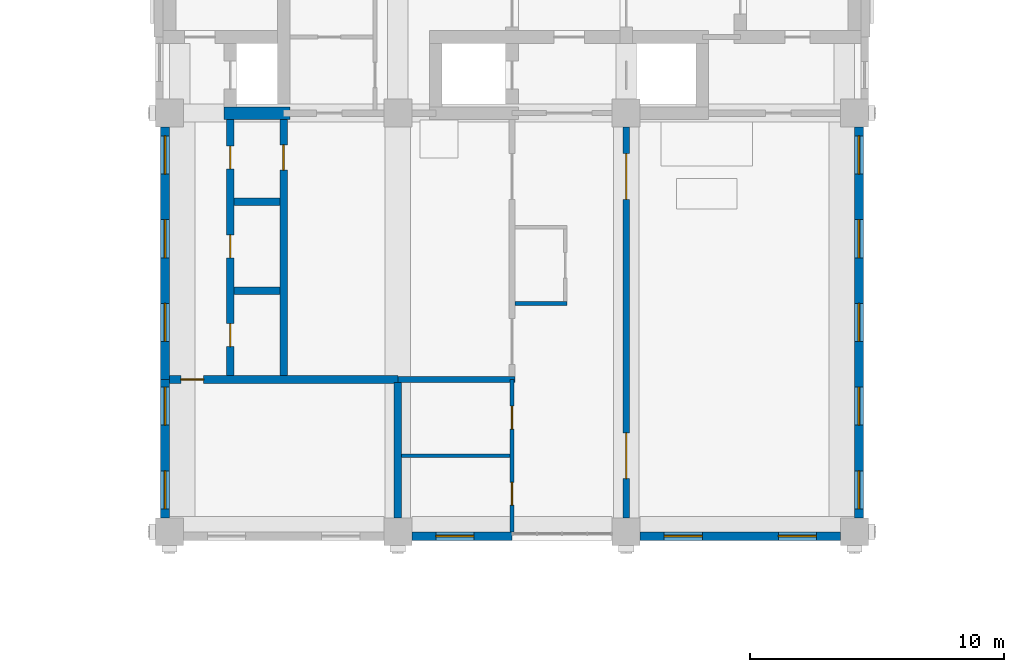
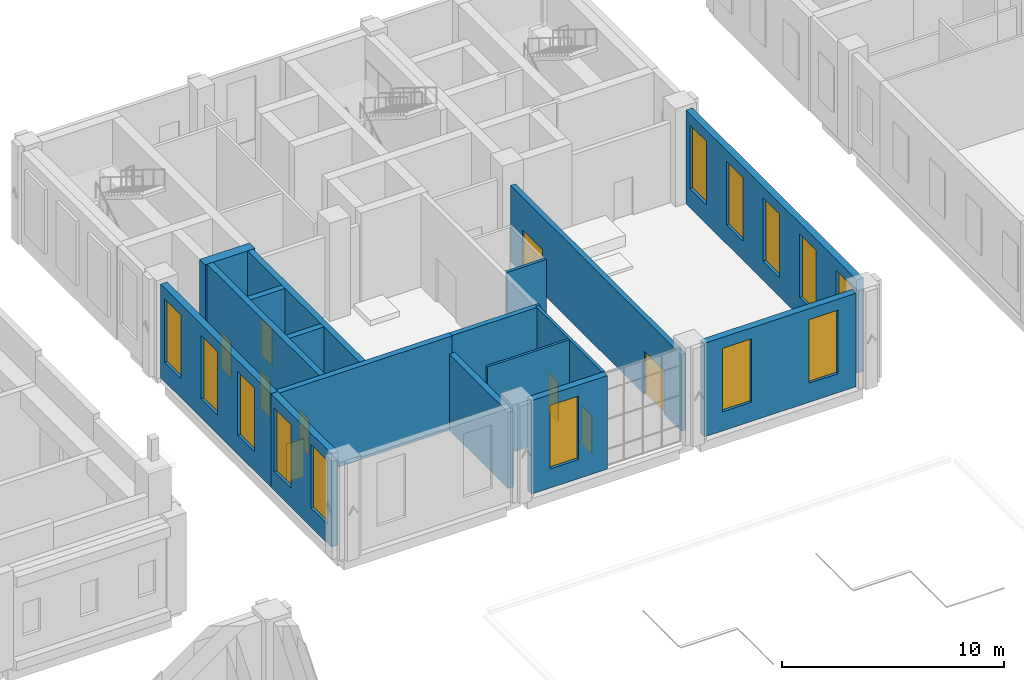
# One storey, part 21 of 37: 17 walls, 13 windows, 9 doors, 22 openings.
"""IFC4 building model written with IfcOpenShell, lengths in metres."""

from ifc_helpers import new_model, si_unit, direction, frame, frame_2d, origin, place, context, subcontext, project, spatial, rectangle, extrude, material, layer, layer_set, type_object, element, fill, save


model = new_model("IFC4")

# Units and contexts
model_context = context("Model", 3, precision=1e-05, world=origin(), true_north=direction((0.0, 1.0)))
body_context = subcontext(model_context, "Body", "Model", "MODEL_VIEW")
ifc_project = project(units=[si_unit("LENGTHUNIT", "METRE"), si_unit("AREAUNIT", "SQUARE_METRE"), si_unit("VOLUMEUNIT", "CUBIC_METRE"), si_unit("PLANEANGLEUNIT", "RADIAN"), si_unit("MASSUNIT", "GRAM", prefix="KILO")], contexts=[model_context])

# Site, building, storey
site_placement = place(None, origin())
site = spatial("IfcSite", under=ifc_project, at=site_placement, CompositionType="ELEMENT")
building_placement = place(site_placement, origin())
building = spatial("IfcBuilding", under=site, at=building_placement, Name="Aurelan Courthouse", CompositionType="ELEMENT")
storey_placement = place(building_placement, frame((0.0, 0.0, 17.39990234375)))
storey = spatial("IfcBuildingStorey", under=building, at=storey_placement, Name="L03", CompositionType="ELEMENT", Elevation=17.39990234375)

# Wall
ifc_material_1 = material(Name="Gypsum board on metal studs")
ifc_layer_1 = layer(ifc_material_1, 0.14990234375)
ifc_layer_set_1 = layer_set([ifc_layer_1], Name="Gypsum board on metal studs")
wall_type_1 = type_object("IfcWallType", Name="Corridor partition 150 EI 60", PredefinedType="PARTITIONING", material=ifc_layer_set_1)
wall_1_placement = place(storey_placement, frame((49.625, 46.5, 0.0), z_axis=(0.0, 0.0, 1.0), x_axis=(1.0, 0.0, 0.0)))
element("IfcWall", 1, at=wall_1_placement, inside=storey, type_object=wall_type_1, Name="Corridor partition L03-022", PredefinedType="PARTITIONING", context=body_context, shape_type="SweptSolid", body=[
    extrude(rectangle(XDim=2.050048828125, YDim=0.14990234375, at=frame_2d((1.02490234375, 0.0))), origin(), (0.0, 0.0, 1.0), 5.150146484375),
])

# Wall, openings, doors
wall_2_placement = place(storey_placement, frame((49.5, 37.5, 0.0), z_axis=(0.0, 0.0, 1.0), x_axis=(0.0, 1.0, 0.0)))
wall_2 = element("IfcWall", 2, at=wall_2_placement, inside=storey, type_object=wall_type_1, Name="Corridor partition L03-070", PredefinedType="PARTITIONING", context=body_context, shape_type="SweptSolid", body=[
    extrude(rectangle(XDim=6.0, YDim=0.14990234375, at=frame_2d((3.0, 0.0))), origin(), (0.0, 0.0, 1.0), 5.150146484375),
])
opening_1_placement = place(wall_2_placement, frame((1.050048828125, 0.0, 0.0)))
opening_1 = element("IfcOpeningElement", 3, at=opening_1_placement, cuts=wall_2, Name="Opening D-L03-021", PredefinedType="OPENING", context=body_context, shape_type="SweptSolid", body=[
    extrude(rectangle(XDim=0.89990234375, YDim=2.10009765625, at=frame_2d((0.449951171875, 1.050048828125))), frame((0.0, 0.0849609375, 0.0), z_axis=(0.0, -1.0, 0.0), x_axis=(1.0, 0.0, 0.0)), (0.0, 0.0, 1.0), 0.169921875),
])
opening_2_placement = place(wall_2_placement, frame((4.050048828125, 0.0, 0.0)))
opening_2 = element("IfcOpeningElement", 4, at=opening_2_placement, cuts=wall_2, Name="Opening D-L03-022", PredefinedType="OPENING", context=body_context, shape_type="SweptSolid", body=[
    extrude(rectangle(XDim=0.89990234375, YDim=2.10009765625, at=frame_2d((0.449951171875, 1.050048828125))), frame((0.0, 0.0849609375, 0.0), z_axis=(0.0, -1.0, 0.0), x_axis=(1.0, 0.0, 0.0)), (0.0, 0.0, 1.0), 0.169921875),
])
ifc_material_2 = material(Name="Steel", Category="steel")
door_type_1 = type_object("IfcDoorType", Name="Single door 900 x 2100 FD60", OperationType="SINGLE_SWING_LEFT", PredefinedType="DOOR", material=ifc_material_2)
door_1_placement = place(opening_1_placement, origin())
door_1 = element("IfcDoor", 5, at=door_1_placement, inside=storey, type_object=door_type_1, Name="Single door D-L03-021", OperationType="SINGLE_SWING_RIGHT", OverallHeight=2.10009765625, OverallWidth=0.89990234375, PredefinedType="DOOR", context=body_context, shape_type="SweptSolid", body=[
    extrude(rectangle(XDim=0.89990234375, YDim=2.10009765625, at=frame_2d((0.449951171875, 1.050048828125))), frame((0.0, 0.02490234375, 0.0), z_axis=(0.0, -1.0, 0.0), x_axis=(1.0, 0.0, 0.0)), (0.0, 0.0, 1.0), 0.050048828125),
])
fill(opening_1, door_1)
door_2_placement = place(opening_2_placement, origin())
door_2 = element("IfcDoor", 6, at=door_2_placement, inside=storey, type_object=door_type_1, Name="Single door D-L03-022", OperationType="SINGLE_SWING_LEFT", OverallHeight=2.10009765625, OverallWidth=0.89990234375, PredefinedType="DOOR", context=body_context, shape_type="SweptSolid", body=[
    extrude(rectangle(XDim=0.89990234375, YDim=2.10009765625, at=frame_2d((0.449951171875, 1.050048828125))), frame((0.0, 0.02490234375, 0.0), z_axis=(0.0, -1.0, 0.0), x_axis=(1.0, 0.0, 0.0)), (0.0, 0.0, 1.0), 0.050048828125),
])
fill(opening_2, door_2)

# Wall, opening, window
ifc_material_3 = material(Name="Limestone cladding", Category="masonry")
ifc_layer_2 = layer(ifc_material_3, 0.10009765625, Name="Facing")
ifc_material_4 = material(Name="Ventilated cavity")
ifc_layer_3 = layer(ifc_material_4, 0.02490234375, ventilated=True, Name="Ventilated cavity")
ifc_material_5 = material(Name="Mineral wool insulation")
ifc_layer_4 = layer(ifc_material_5, 0.050048828125, Name="Insulation")
ifc_material_6 = material(Name="Concrete C30", Category="concrete")
ifc_layer_5 = layer(ifc_material_6, 0.175048828125, Name="Structure")
ifc_layer_set_2 = layer_set([ifc_layer_2, ifc_layer_3, ifc_layer_4, ifc_layer_5], Name="Concrete C30")
wall_type_2 = type_object("IfcWallType", Name="Courtroom Block stone-faced wall 350", PredefinedType="SOLIDWALL", material=ifc_layer_set_2)
wall_3_placement = place(storey_placement, frame((45.550048828125, 37.324951171875, 0.0), z_axis=(0.0, 0.0, 1.0), x_axis=(1.0, 0.0, 0.0)))
wall_3 = element("IfcWall", 7, at=wall_3_placement, inside=storey, type_object=wall_type_2, Name="Facade wall FW-V2-L03-002", PredefinedType="SOLIDWALL", context=body_context, shape_type="SweptSolid", body=[
    extrude(rectangle(XDim=3.949951171875, YDim=0.35009765625, at=frame_2d((1.97509765625, 0.0))), origin(), (0.0, 0.0, 1.0), 5.150146484375),
])
opening_3_placement = place(wall_3_placement, frame((0.949951171875, 0.0, 1.050048828125)))
opening_3 = element("IfcOpeningElement", 8, at=opening_3_placement, cuts=wall_3, Name="Opening WN-V2-L03-003", PredefinedType="OPENING", context=body_context, shape_type="SweptSolid", body=[
    extrude(rectangle(XDim=1.5, YDim=3.5, at=frame_2d((0.75, 1.75))), frame((0.0, 0.18505859375, 0.0), z_axis=(0.0, -1.0, 0.0), x_axis=(1.0, 0.0, 0.0)), (0.0, 0.0, 1.0), 0.3701171875),
])
ifc_material_7 = material(Name="Bronze-finished aluminium and glass", Category="aluminium")
window_type = type_object("IfcWindowType", Name="Courtroom Block glazed slot 1500 x 3500, sill 1050", PartitioningType="SINGLE_PANEL", PredefinedType="WINDOW", material=ifc_material_7)
window_1_placement = place(opening_3_placement, origin())
window_1 = element("IfcWindow", 9, at=window_1_placement, inside=storey, type_object=window_type, Name="Glazed slot WN-V2-L03-003", OverallHeight=3.5, OverallWidth=1.5, PartitioningType="SINGLE_PANEL", PredefinedType="WINDOW", context=body_context, shape_type="SweptSolid", body=[
    extrude(rectangle(XDim=1.5, YDim=3.5, at=frame_2d((0.75, 1.75))), frame((0.0, 0.030029296875, 0.0), z_axis=(0.0, -1.0, 0.0), x_axis=(1.0, 0.0, 0.0)), (0.0, 0.0, 1.0), 0.06005859375),
])
fill(opening_3, window_1)

# Wall, openings, windows
wall_4_placement = place(storey_placement, frame((54.550048828125, 37.324951171875, 0.0), z_axis=(0.0, 0.0, 1.0), x_axis=(1.0, 0.0, 0.0)))
wall_4 = element("IfcWall", 10, at=wall_4_placement, inside=storey, type_object=wall_type_2, Name="Facade wall FW-V2-L03-003", PredefinedType="SOLIDWALL", context=body_context, shape_type="SweptSolid", body=[
    extrude(rectangle(XDim=7.89990234375, YDim=0.35009765625, at=frame_2d((3.949951171875, 0.0))), origin(), (0.0, 0.0, 1.0), 5.150146484375),
])
opening_4_placement = place(wall_4_placement, frame((0.949951171875, 0.0, 1.050048828125)))
opening_4 = element("IfcOpeningElement", 11, at=opening_4_placement, cuts=wall_4, Name="Opening WN-V2-L03-004", PredefinedType="OPENING", context=body_context, shape_type="SweptSolid", body=[
    extrude(rectangle(XDim=1.5, YDim=3.5, at=frame_2d((0.75, 1.75))), frame((0.0, 0.18505859375, 0.0), z_axis=(0.0, -1.0, 0.0), x_axis=(1.0, 0.0, 0.0)), (0.0, 0.0, 1.0), 0.3701171875),
])
opening_5_placement = place(wall_4_placement, frame((5.449951171875, 0.0, 1.050048828125)))
opening_5 = element("IfcOpeningElement", 12, at=opening_5_placement, cuts=wall_4, Name="Opening WN-V2-L03-005", PredefinedType="OPENING", context=body_context, shape_type="SweptSolid", body=[
    extrude(rectangle(XDim=1.5, YDim=3.5, at=frame_2d((0.75, 1.75))), frame((0.0, 0.18505859375, 0.0), z_axis=(0.0, -1.0, 0.0), x_axis=(1.0, 0.0, 0.0)), (0.0, 0.0, 1.0), 0.3701171875),
])
window_2_placement = place(opening_4_placement, origin())
window_2 = element("IfcWindow", 13, at=window_2_placement, inside=storey, type_object=window_type, Name="Glazed slot WN-V2-L03-004", OverallHeight=3.5, OverallWidth=1.5, PartitioningType="SINGLE_PANEL", PredefinedType="WINDOW", context=body_context, shape_type="SweptSolid", body=[
    extrude(rectangle(XDim=1.5, YDim=3.5, at=frame_2d((0.75, 1.75))), frame((0.0, 0.030029296875, 0.0), z_axis=(0.0, -1.0, 0.0), x_axis=(1.0, 0.0, 0.0)), (0.0, 0.0, 1.0), 0.06005859375),
])
fill(opening_4, window_2)
window_3_placement = place(opening_5_placement, origin())
window_3 = element("IfcWindow", 14, at=window_3_placement, inside=storey, type_object=window_type, Name="Glazed slot WN-V2-L03-005", OverallHeight=3.5, OverallWidth=1.5, PartitioningType="SINGLE_PANEL", PredefinedType="WINDOW", context=body_context, shape_type="SweptSolid", body=[
    extrude(rectangle(XDim=1.5, YDim=3.5, at=frame_2d((0.75, 1.75))), frame((0.0, 0.030029296875, 0.0), z_axis=(0.0, -1.0, 0.0), x_axis=(1.0, 0.0, 0.0)), (0.0, 0.0, 1.0), 0.06005859375),
])
fill(opening_5, window_3)

wall_5_placement = place(storey_placement, frame((63.175048828125, 38.050048828125, 0.0), z_axis=(0.0, 0.0, 1.0), x_axis=(0.0, 1.0, 0.0)))
wall_5 = element("IfcWall", 15, at=wall_5_placement, inside=storey, type_object=wall_type_2, Name="Facade wall FW-V2-L03-007", PredefinedType="SOLIDWALL", context=body_context, shape_type="SweptSolid", body=[
    extrude(rectangle(XDim=15.39990234375, YDim=0.35009765625, at=frame_2d((7.699951171875, 0.0))), origin(), (0.0, 0.0, 1.0), 5.150146484375),
])
opening_6_placement = place(wall_5_placement, frame((0.35009765625, 0.0, 1.050048828125)))
opening_6 = element("IfcOpeningElement", 16, at=opening_6_placement, cuts=wall_5, Name="Opening WN-V2-L03-008", PredefinedType="OPENING", context=body_context, shape_type="SweptSolid", body=[
    extrude(rectangle(XDim=1.5, YDim=3.5, at=frame_2d((0.75, 1.75))), frame((0.0, 0.18505859375, 0.0), z_axis=(0.0, -1.0, 0.0), x_axis=(1.0, 0.0, 0.0)), (0.0, 0.0, 1.0), 0.3701171875),
])
opening_7_placement = place(wall_5_placement, frame((3.64990234375, 0.0, 1.050048828125)))
opening_7 = element("IfcOpeningElement", 17, at=opening_7_placement, cuts=wall_5, Name="Opening WN-V2-L03-009", PredefinedType="OPENING", context=body_context, shape_type="SweptSolid", body=[
    extrude(rectangle(XDim=1.5, YDim=3.5, at=frame_2d((0.75, 1.75))), frame((0.0, 0.18505859375, 0.0), z_axis=(0.0, -1.0, 0.0), x_axis=(1.0, 0.0, 0.0)), (0.0, 0.0, 1.0), 0.3701171875),
])
opening_8_placement = place(wall_5_placement, frame((6.949951171875, 0.0, 1.050048828125)))
opening_8 = element("IfcOpeningElement", 18, at=opening_8_placement, cuts=wall_5, Name="Opening WN-V2-L03-010", PredefinedType="OPENING", context=body_context, shape_type="SweptSolid", body=[
    extrude(rectangle(XDim=1.5, YDim=3.5, at=frame_2d((0.75, 1.75))), frame((0.0, 0.18505859375, 0.0), z_axis=(0.0, -1.0, 0.0), x_axis=(1.0, 0.0, 0.0)), (0.0, 0.0, 1.0), 0.3701171875),
])
opening_9_placement = place(wall_5_placement, frame((10.25, 0.0, 1.050048828125)))
opening_9 = element("IfcOpeningElement", 19, at=opening_9_placement, cuts=wall_5, Name="Opening WN-V2-L03-011", PredefinedType="OPENING", context=body_context, shape_type="SweptSolid", body=[
    extrude(rectangle(XDim=1.5, YDim=3.5, at=frame_2d((0.75, 1.75))), frame((0.0, 0.18505859375, 0.0), z_axis=(0.0, -1.0, 0.0), x_axis=(1.0, 0.0, 0.0)), (0.0, 0.0, 1.0), 0.3701171875),
])
opening_10_placement = place(wall_5_placement, frame((13.550048828125, 0.0, 1.050048828125)))
opening_10 = element("IfcOpeningElement", 20, at=opening_10_placement, cuts=wall_5, Name="Opening WN-V2-L03-012", PredefinedType="OPENING", context=body_context, shape_type="SweptSolid", body=[
    extrude(rectangle(XDim=1.5, YDim=3.5, at=frame_2d((0.75, 1.75))), frame((0.0, 0.18505859375, 0.0), z_axis=(0.0, -1.0, 0.0), x_axis=(1.0, 0.0, 0.0)), (0.0, 0.0, 1.0), 0.3701171875),
])
window_4_placement = place(opening_6_placement, origin())
window_4 = element("IfcWindow", 21, at=window_4_placement, inside=storey, type_object=window_type, Name="Glazed slot WN-V2-L03-008", OverallHeight=3.5, OverallWidth=1.5, PartitioningType="SINGLE_PANEL", PredefinedType="WINDOW", context=body_context, shape_type="SweptSolid", body=[
    extrude(rectangle(XDim=1.5, YDim=3.5, at=frame_2d((0.75, 1.75))), frame((0.0, 0.030029296875, 0.0), z_axis=(0.0, -1.0, 0.0), x_axis=(1.0, 0.0, 0.0)), (0.0, 0.0, 1.0), 0.06005859375),
])
fill(opening_6, window_4)
window_5_placement = place(opening_7_placement, origin())
window_5 = element("IfcWindow", 22, at=window_5_placement, inside=storey, type_object=window_type, Name="Glazed slot WN-V2-L03-009", OverallHeight=3.5, OverallWidth=1.5, PartitioningType="SINGLE_PANEL", PredefinedType="WINDOW", context=body_context, shape_type="SweptSolid", body=[
    extrude(rectangle(XDim=1.5, YDim=3.5, at=frame_2d((0.75, 1.75))), frame((0.0, 0.030029296875, 0.0), z_axis=(0.0, -1.0, 0.0), x_axis=(1.0, 0.0, 0.0)), (0.0, 0.0, 1.0), 0.06005859375),
])
fill(opening_7, window_5)
window_6_placement = place(opening_8_placement, origin())
window_6 = element("IfcWindow", 23, at=window_6_placement, inside=storey, type_object=window_type, Name="Glazed slot WN-V2-L03-010", OverallHeight=3.5, OverallWidth=1.5, PartitioningType="SINGLE_PANEL", PredefinedType="WINDOW", context=body_context, shape_type="SweptSolid", body=[
    extrude(rectangle(XDim=1.5, YDim=3.5, at=frame_2d((0.75, 1.75))), frame((0.0, 0.030029296875, 0.0), z_axis=(0.0, -1.0, 0.0), x_axis=(1.0, 0.0, 0.0)), (0.0, 0.0, 1.0), 0.06005859375),
])
fill(opening_8, window_6)
window_7_placement = place(opening_9_placement, origin())
window_7 = element("IfcWindow", 24, at=window_7_placement, inside=storey, type_object=window_type, Name="Glazed slot WN-V2-L03-011", OverallHeight=3.5, OverallWidth=1.5, PartitioningType="SINGLE_PANEL", PredefinedType="WINDOW", context=body_context, shape_type="SweptSolid", body=[
    extrude(rectangle(XDim=1.5, YDim=3.5, at=frame_2d((0.75, 1.75))), frame((0.0, 0.030029296875, 0.0), z_axis=(0.0, -1.0, 0.0), x_axis=(1.0, 0.0, 0.0)), (0.0, 0.0, 1.0), 0.06005859375),
])
fill(opening_9, window_7)
window_8_placement = place(opening_10_placement, origin())
window_8 = element("IfcWindow", 25, at=window_8_placement, inside=storey, type_object=window_type, Name="Glazed slot WN-V2-L03-012", OverallHeight=3.5, OverallWidth=1.5, PartitioningType="SINGLE_PANEL", PredefinedType="WINDOW", context=body_context, shape_type="SweptSolid", body=[
    extrude(rectangle(XDim=1.5, YDim=3.5, at=frame_2d((0.75, 1.75))), frame((0.0, 0.030029296875, 0.0), z_axis=(0.0, -1.0, 0.0), x_axis=(1.0, 0.0, 0.0)), (0.0, 0.0, 1.0), 0.06005859375),
])
fill(opening_10, window_8)

wall_6_placement = place(storey_placement, frame((35.824951171875, 38.050048828125, 0.0), z_axis=(0.0, 0.0, 1.0), x_axis=(0.0, 1.0, 0.0)))
wall_6 = element("IfcWall", 26, at=wall_6_placement, inside=storey, type_object=wall_type_2, Name="Facade wall FW-V2-L03-010", PredefinedType="SOLIDWALL", context=body_context, shape_type="SweptSolid", body=[
    extrude(rectangle(XDim=5.449951171875, YDim=0.35009765625, at=frame_2d((2.72509765625, 0.0))), origin(), (0.0, 0.0, 1.0), 5.150146484375),
])
opening_11_placement = place(wall_6_placement, frame((0.35009765625, 0.0, 1.050048828125)))
opening_11 = element("IfcOpeningElement", 27, at=opening_11_placement, cuts=wall_6, Name="Opening WN-V2-L03-014", PredefinedType="OPENING", context=body_context, shape_type="SweptSolid", body=[
    extrude(rectangle(XDim=1.5, YDim=3.5, at=frame_2d((0.75, 1.75))), frame((0.0, 0.18505859375, 0.0), z_axis=(0.0, -1.0, 0.0), x_axis=(1.0, 0.0, 0.0)), (0.0, 0.0, 1.0), 0.3701171875),
])
opening_12_placement = place(wall_6_placement, frame((3.64990234375, 0.0, 1.050048828125)))
opening_12 = element("IfcOpeningElement", 28, at=opening_12_placement, cuts=wall_6, Name="Opening WN-V2-L03-015", PredefinedType="OPENING", context=body_context, shape_type="SweptSolid", body=[
    extrude(rectangle(XDim=1.5, YDim=3.5, at=frame_2d((0.75, 1.75))), frame((0.0, 0.18505859375, 0.0), z_axis=(0.0, -1.0, 0.0), x_axis=(1.0, 0.0, 0.0)), (0.0, 0.0, 1.0), 0.3701171875),
])
window_9_placement = place(opening_11_placement, origin())
window_9 = element("IfcWindow", 29, at=window_9_placement, inside=storey, type_object=window_type, Name="Glazed slot WN-V2-L03-014", OverallHeight=3.5, OverallWidth=1.5, PartitioningType="SINGLE_PANEL", PredefinedType="WINDOW", context=body_context, shape_type="SweptSolid", body=[
    extrude(rectangle(XDim=1.5, YDim=3.5, at=frame_2d((0.75, 1.75))), frame((0.0, 0.030029296875, 0.0), z_axis=(0.0, -1.0, 0.0), x_axis=(1.0, 0.0, 0.0)), (0.0, 0.0, 1.0), 0.06005859375),
])
fill(opening_11, window_9)
window_10_placement = place(opening_12_placement, origin())
window_10 = element("IfcWindow", 30, at=window_10_placement, inside=storey, type_object=window_type, Name="Glazed slot WN-V2-L03-015", OverallHeight=3.5, OverallWidth=1.5, PartitioningType="SINGLE_PANEL", PredefinedType="WINDOW", context=body_context, shape_type="SweptSolid", body=[
    extrude(rectangle(XDim=1.5, YDim=3.5, at=frame_2d((0.75, 1.75))), frame((0.0, 0.030029296875, 0.0), z_axis=(0.0, -1.0, 0.0), x_axis=(1.0, 0.0, 0.0)), (0.0, 0.0, 1.0), 0.06005859375),
])
fill(opening_12, window_10)

wall_7_placement = place(storey_placement, frame((35.824951171875, 43.5, 0.0), z_axis=(0.0, 0.0, 1.0), x_axis=(0.0, 1.0, 0.0)))
wall_7 = element("IfcWall", 31, at=wall_7_placement, inside=storey, type_object=wall_type_2, Name="Facade wall FW-V2-L03-011", PredefinedType="SOLIDWALL", context=body_context, shape_type="SweptSolid", body=[
    extrude(rectangle(XDim=9.949951171875, YDim=0.35009765625, at=frame_2d((4.97509765625, 0.0))), origin(), (0.0, 0.0, 1.0), 5.150146484375),
])
opening_13_placement = place(wall_7_placement, frame((1.5, 0.0, 1.050048828125)))
opening_13 = element("IfcOpeningElement", 32, at=opening_13_placement, cuts=wall_7, Name="Opening WN-V2-L03-016", PredefinedType="OPENING", context=body_context, shape_type="SweptSolid", body=[
    extrude(rectangle(XDim=1.5, YDim=3.5, at=frame_2d((0.75, 1.75))), frame((0.0, 0.18505859375, 0.0), z_axis=(0.0, -1.0, 0.0), x_axis=(1.0, 0.0, 0.0)), (0.0, 0.0, 1.0), 0.3701171875),
])
opening_14_placement = place(wall_7_placement, frame((4.800048828125, 0.0, 1.050048828125)))
opening_14 = element("IfcOpeningElement", 33, at=opening_14_placement, cuts=wall_7, Name="Opening WN-V2-L03-017", PredefinedType="OPENING", context=body_context, shape_type="SweptSolid", body=[
    extrude(rectangle(XDim=1.5, YDim=3.5, at=frame_2d((0.75, 1.75))), frame((0.0, 0.18505859375, 0.0), z_axis=(0.0, -1.0, 0.0), x_axis=(1.0, 0.0, 0.0)), (0.0, 0.0, 1.0), 0.3701171875),
])
opening_15_placement = place(wall_7_placement, frame((8.10009765625, 0.0, 1.050048828125)))
opening_15 = element("IfcOpeningElement", 34, at=opening_15_placement, cuts=wall_7, Name="Opening WN-V2-L03-018", PredefinedType="OPENING", context=body_context, shape_type="SweptSolid", body=[
    extrude(rectangle(XDim=1.5, YDim=3.5, at=frame_2d((0.75, 1.75))), frame((0.0, 0.18505859375, 0.0), z_axis=(0.0, -1.0, 0.0), x_axis=(1.0, 0.0, 0.0)), (0.0, 0.0, 1.0), 0.3701171875),
])
window_11_placement = place(opening_13_placement, origin())
window_11 = element("IfcWindow", 35, at=window_11_placement, inside=storey, type_object=window_type, Name="Glazed slot WN-V2-L03-016", OverallHeight=3.5, OverallWidth=1.5, PartitioningType="SINGLE_PANEL", PredefinedType="WINDOW", context=body_context, shape_type="SweptSolid", body=[
    extrude(rectangle(XDim=1.5, YDim=3.5, at=frame_2d((0.75, 1.75))), frame((0.0, 0.030029296875, 0.0), z_axis=(0.0, -1.0, 0.0), x_axis=(1.0, 0.0, 0.0)), (0.0, 0.0, 1.0), 0.06005859375),
])
fill(opening_13, window_11)
window_12_placement = place(opening_14_placement, origin())
window_12 = element("IfcWindow", 36, at=window_12_placement, inside=storey, type_object=window_type, Name="Glazed slot WN-V2-L03-017", OverallHeight=3.5, OverallWidth=1.5, PartitioningType="SINGLE_PANEL", PredefinedType="WINDOW", context=body_context, shape_type="SweptSolid", body=[
    extrude(rectangle(XDim=1.5, YDim=3.5, at=frame_2d((0.75, 1.75))), frame((0.0, 0.030029296875, 0.0), z_axis=(0.0, -1.0, 0.0), x_axis=(1.0, 0.0, 0.0)), (0.0, 0.0, 1.0), 0.06005859375),
])
fill(opening_14, window_12)
window_13_placement = place(opening_15_placement, origin())
window_13 = element("IfcWindow", 37, at=window_13_placement, inside=storey, type_object=window_type, Name="Glazed slot WN-V2-L03-018", OverallHeight=3.5, OverallWidth=1.5, PartitioningType="SINGLE_PANEL", PredefinedType="WINDOW", context=body_context, shape_type="SweptSolid", body=[
    extrude(rectangle(XDim=1.5, YDim=3.5, at=frame_2d((0.75, 1.75))), frame((0.0, 0.030029296875, 0.0), z_axis=(0.0, -1.0, 0.0), x_axis=(1.0, 0.0, 0.0)), (0.0, 0.0, 1.0), 0.06005859375),
])
fill(opening_15, window_13)

# Wall
ifc_material_8 = material(Name="Masonry block", Category="masonry")
ifc_layer_6 = layer(ifc_material_8, 0.25)
ifc_layer_set_3 = layer_set([ifc_layer_6], Name="Masonry block")
wall_type_3 = type_object("IfcWallType", Name="Courtroom wall 250 EI 60", PredefinedType="PARTITIONING", material=ifc_layer_set_3)
wall_8_placement = place(storey_placement, frame((45.0, 43.5, 0.0), z_axis=(0.0, 0.0, 1.0), x_axis=(1.0, 0.0, 0.0)))
element("IfcWall", 38, at=wall_8_placement, inside=storey, type_object=wall_type_3, Name="Courtroom wall L03-018", PredefinedType="PARTITIONING", context=body_context, shape_type="SweptSolid", body=[
    extrude(rectangle(XDim=4.625, YDim=0.25, at=frame_2d((2.3125, 0.0))), origin(), (0.0, 0.0, 1.0), 5.150146484375),
])

# Wall, openings, doors
wall_9_placement = place(storey_placement, frame((54.0, 38.050048828125, 0.0), z_axis=(0.0, 0.0, 1.0), x_axis=(0.0, 1.0, 0.0)))
wall_9 = element("IfcWall", 39, at=wall_9_placement, inside=storey, type_object=wall_type_3, Name="Courtroom wall L03-073", PredefinedType="PARTITIONING", context=body_context, shape_type="SweptSolid", body=[
    extrude(rectangle(XDim=15.39990234375, YDim=0.25, at=frame_2d((7.699951171875, 0.0))), origin(), (0.0, 0.0, 1.0), 4.2001953125),
])
opening_16_placement = place(wall_9_placement, frame((1.550048828125, 0.0, 0.0)))
opening_16 = element("IfcOpeningElement", 40, at=opening_16_placement, cuts=wall_9, Name="Opening D-L03-023", PredefinedType="OPENING", context=body_context, shape_type="SweptSolid", body=[
    extrude(rectangle(XDim=1.800048828125, YDim=2.39990234375, at=frame_2d((0.89990234375, 1.199951171875))), frame((0.0, 0.135009765625, 0.0), z_axis=(0.0, -1.0, 0.0), x_axis=(1.0, 0.0, 0.0)), (0.0, 0.0, 1.0), 0.27001953125),
])
opening_17_placement = place(wall_9_placement, frame((12.550048828125, 0.0, 0.0)))
opening_17 = element("IfcOpeningElement", 41, at=opening_17_placement, cuts=wall_9, Name="Opening D-L03-024", PredefinedType="OPENING", context=body_context, shape_type="SweptSolid", body=[
    extrude(rectangle(XDim=1.800048828125, YDim=2.39990234375, at=frame_2d((0.89990234375, 1.199951171875))), frame((0.0, 0.135009765625, 0.0), z_axis=(0.0, -1.0, 0.0), x_axis=(1.0, 0.0, 0.0)), (0.0, 0.0, 1.0), 0.27001953125),
])
door_type_2 = type_object("IfcDoorType", Name="Double door 1800 x 2400 FD30", OperationType="DOUBLE_DOOR_SINGLE_SWING", PredefinedType="DOOR", material=ifc_material_2)
door_3_placement = place(opening_16_placement, origin())
door_3 = element("IfcDoor", 42, at=door_3_placement, inside=storey, type_object=door_type_2, Name="Double door D-L03-023", OperationType="DOUBLE_DOOR_SINGLE_SWING", OverallHeight=2.39990234375, OverallWidth=1.800048828125, PredefinedType="DOOR", context=body_context, shape_type="SweptSolid", body=[
    extrude(rectangle(XDim=1.800048828125, YDim=2.39990234375, at=frame_2d((0.89990234375, 1.199951171875))), frame((0.0, 0.02490234375, 0.0), z_axis=(0.0, -1.0, 0.0), x_axis=(1.0, 0.0, 0.0)), (0.0, 0.0, 1.0), 0.050048828125),
])
fill(opening_16, door_3)
door_4_placement = place(opening_17_placement, origin())
door_4 = element("IfcDoor", 43, at=door_4_placement, inside=storey, type_object=door_type_2, Name="Double door D-L03-024", OperationType="DOUBLE_DOOR_SINGLE_SWING", OverallHeight=2.39990234375, OverallWidth=1.800048828125, PredefinedType="DOOR", context=body_context, shape_type="SweptSolid", body=[
    extrude(rectangle(XDim=1.800048828125, YDim=2.39990234375, at=frame_2d((0.89990234375, 1.199951171875))), frame((0.0, 0.02490234375, 0.0), z_axis=(0.0, -1.0, 0.0), x_axis=(1.0, 0.0, 0.0)), (0.0, 0.0, 1.0), 0.050048828125),
])
fill(opening_17, door_4)

# Wall, opening, door
ifc_layer_7 = layer(ifc_material_6, 0.300048828125)
ifc_layer_set_4 = layer_set([ifc_layer_7], Name="Concrete C30")
wall_type_4 = type_object("IfcWallType", Name="Custody wall 300 EI 120", PredefinedType="PARTITIONING", material=ifc_layer_set_4)
wall_10_placement = place(storey_placement, frame((36.0, 43.5, 0.0), z_axis=(0.0, 0.0, 1.0), x_axis=(1.0, 0.0, 0.0)))
wall_10 = element("IfcWall", 44, at=wall_10_placement, inside=storey, type_object=wall_type_4, Name="Custody wall L03-017", PredefinedType="PARTITIONING", context=body_context, shape_type="SweptSolid", body=[
    extrude(rectangle(XDim=9.0, YDim=0.300048828125, at=frame_2d((4.5, 0.0))), origin(), (0.0, 0.0, 1.0), 5.150146484375),
])
opening_18_placement = place(wall_10_placement, frame((1.349853515625, 0.0, 0.0), z_axis=(0.0, 0.0, 1.0), x_axis=(-1.0, 0.0, 0.0)))
opening_18 = element("IfcOpeningElement", 45, at=opening_18_placement, cuts=wall_10, Name="Opening D-L03-016", PredefinedType="OPENING", context=body_context, shape_type="SweptSolid", body=[
    extrude(rectangle(XDim=0.89990234375, YDim=2.10009765625, at=frame_2d((0.449951171875, 1.050048828125))), frame((0.0, 0.159912109375, 0.0), z_axis=(0.0, -1.0, 0.0), x_axis=(1.0, 0.0, 0.0)), (0.0, 0.0, 1.0), 0.320068359375),
])
door_type_3 = type_object("IfcDoorType", Name="Single door 900 x 2100 FD90", OperationType="SINGLE_SWING_LEFT", PredefinedType="DOOR", material=ifc_material_2)
door_5_placement = place(opening_18_placement, origin())
door_5 = element("IfcDoor", 46, at=door_5_placement, inside=storey, type_object=door_type_3, Name="Single door D-L03-016", OperationType="SINGLE_SWING_RIGHT", OverallHeight=2.10009765625, OverallWidth=0.89990234375, PredefinedType="DOOR", context=body_context, shape_type="SweptSolid", body=[
    extrude(rectangle(XDim=0.89990234375, YDim=2.10009765625, at=frame_2d((0.449951171875, 1.050048828125))), frame((0.0, 0.02490234375, 0.0), z_axis=(0.0, -1.0, 0.0), x_axis=(1.0, 0.0, 0.0)), (0.0, 0.0, 1.0), 0.050048828125),
])
fill(opening_18, door_5)

# Walls
for number, where, z_axis, x_axis, name in (
    (47, (38.550048828125, 47.0, 0.0), (0.0, 0.0, 1.0), (1.0, 0.0, 0.0), "Custody wall L03-023"),
    (48, (38.550048828125, 50.5, 0.0), (0.0, 0.0, 1.0), (1.0, 0.0, 0.0), "Custody wall L03-028"),
):
    element("IfcWall", number, at=place(storey_placement, frame(where, z_axis=z_axis, x_axis=x_axis)), inside=storey, type_object=wall_type_4, Name=name, PredefinedType="PARTITIONING", context=body_context, shape_type="SweptSolid", body=[
        extrude(rectangle(XDim=1.800048828125, YDim=0.300048828125, at=frame_2d((0.89990234375, 0.0))), origin(), (0.0, 0.0, 1.0), 5.150146484375),
    ])

# Wall, openings, doors
wall_11_placement = place(storey_placement, frame((38.39990234375, 43.64990234375, 0.0), z_axis=(0.0, 0.0, 1.0), x_axis=(0.0, 1.0, 0.0)))
wall_11 = element("IfcWall", 49, at=wall_11_placement, inside=storey, type_object=wall_type_4, Name="Custody wall L03-065", PredefinedType="PARTITIONING", context=body_context, shape_type="SweptSolid", body=[
    extrude(rectangle(XDim=10.35009765625, YDim=0.300048828125, at=frame_2d((5.175048828125, 0.0))), origin(), (0.0, 0.0, 1.0), 5.150146484375),
])
opening_19_placement = place(wall_11_placement, frame((2.0498046875, 0.0, 0.0), z_axis=(0.0, 0.0, 1.0), x_axis=(-1.0, 0.0, 0.0)))
opening_19 = element("IfcOpeningElement", 50, at=opening_19_placement, cuts=wall_11, Name="Opening D-L03-017", PredefinedType="OPENING", context=body_context, shape_type="SweptSolid", body=[
    extrude(rectangle(XDim=0.89990234375, YDim=2.0, at=frame_2d((0.449951171875, 1.0))), frame((0.0, 0.159912109375, 0.0), z_axis=(0.0, -1.0, 0.0), x_axis=(1.0, 0.0, 0.0)), (0.0, 0.0, 1.0), 0.320068359375),
])
opening_20_placement = place(wall_11_placement, frame((5.5498046875, 0.0, 0.0), z_axis=(0.0, 0.0, 1.0), x_axis=(-1.0, 0.0, 0.0)))
opening_20 = element("IfcOpeningElement", 51, at=opening_20_placement, cuts=wall_11, Name="Opening D-L03-018", PredefinedType="OPENING", context=body_context, shape_type="SweptSolid", body=[
    extrude(rectangle(XDim=0.89990234375, YDim=2.0, at=frame_2d((0.449951171875, 1.0))), frame((0.0, 0.159912109375, 0.0), z_axis=(0.0, -1.0, 0.0), x_axis=(1.0, 0.0, 0.0)), (0.0, 0.0, 1.0), 0.320068359375),
])
opening_21_placement = place(wall_11_placement, frame((9.0498046875, 0.0, 0.0), z_axis=(0.0, 0.0, 1.0), x_axis=(-1.0, 0.0, 0.0)))
opening_21 = element("IfcOpeningElement", 52, at=opening_21_placement, cuts=wall_11, Name="Opening D-L03-019", PredefinedType="OPENING", context=body_context, shape_type="SweptSolid", body=[
    extrude(rectangle(XDim=0.89990234375, YDim=2.0, at=frame_2d((0.449951171875, 1.0))), frame((0.0, 0.159912109375, 0.0), z_axis=(0.0, -1.0, 0.0), x_axis=(1.0, 0.0, 0.0)), (0.0, 0.0, 1.0), 0.320068359375),
])
door_type_4 = type_object("IfcDoorType", Name="Single door 900 x 2000 FD90", OperationType="SINGLE_SWING_LEFT", PredefinedType="DOOR", material=ifc_material_2)
door_6_placement = place(opening_19_placement, origin())
door_6 = element("IfcDoor", 53, at=door_6_placement, inside=storey, type_object=door_type_4, Name="Single door D-L03-017", OperationType="SINGLE_SWING_LEFT", OverallHeight=2.0, OverallWidth=0.89990234375, PredefinedType="DOOR", context=body_context, shape_type="SweptSolid", body=[
    extrude(rectangle(XDim=0.89990234375, YDim=2.0, at=frame_2d((0.449951171875, 1.0))), frame((0.0, 0.02490234375, 0.0), z_axis=(0.0, -1.0, 0.0), x_axis=(1.0, 0.0, 0.0)), (0.0, 0.0, 1.0), 0.050048828125),
])
fill(opening_19, door_6)
door_7_placement = place(opening_20_placement, origin())
door_7 = element("IfcDoor", 54, at=door_7_placement, inside=storey, type_object=door_type_4, Name="Single door D-L03-018", OperationType="SINGLE_SWING_RIGHT", OverallHeight=2.0, OverallWidth=0.89990234375, PredefinedType="DOOR", context=body_context, shape_type="SweptSolid", body=[
    extrude(rectangle(XDim=0.89990234375, YDim=2.0, at=frame_2d((0.449951171875, 1.0))), frame((0.0, 0.02490234375, 0.0), z_axis=(0.0, -1.0, 0.0), x_axis=(1.0, 0.0, 0.0)), (0.0, 0.0, 1.0), 0.050048828125),
])
fill(opening_20, door_7)
door_8_placement = place(opening_21_placement, origin())
door_8 = element("IfcDoor", 55, at=door_8_placement, inside=storey, type_object=door_type_4, Name="Single door D-L03-019", OperationType="SINGLE_SWING_LEFT", OverallHeight=2.0, OverallWidth=0.89990234375, PredefinedType="DOOR", context=body_context, shape_type="SweptSolid", body=[
    extrude(rectangle(XDim=0.89990234375, YDim=2.0, at=frame_2d((0.449951171875, 1.0))), frame((0.0, 0.02490234375, 0.0), z_axis=(0.0, -1.0, 0.0), x_axis=(1.0, 0.0, 0.0)), (0.0, 0.0, 1.0), 0.050048828125),
])
fill(opening_21, door_8)

# Wall, opening, door
wall_12_placement = place(storey_placement, frame((40.5, 43.64990234375, 0.0), z_axis=(0.0, 0.0, 1.0), x_axis=(0.0, 1.0, 0.0)))
wall_12 = element("IfcWall", 56, at=wall_12_placement, inside=storey, type_object=wall_type_4, Name="Custody wall L03-066", PredefinedType="PARTITIONING", context=body_context, shape_type="SweptSolid", body=[
    extrude(rectangle(XDim=10.35009765625, YDim=0.300048828125, at=frame_2d((5.175048828125, 0.0))), origin(), (0.0, 0.0, 1.0), 5.150146484375),
])
opening_22_placement = place(wall_12_placement, frame((9.10009765625, 0.0, 0.0), z_axis=(0.0, 0.0, 1.0), x_axis=(-1.0, 0.0, 0.0)))
opening_22 = element("IfcOpeningElement", 57, at=opening_22_placement, cuts=wall_12, Name="Opening D-L03-020", PredefinedType="OPENING", context=body_context, shape_type="SweptSolid", body=[
    extrude(rectangle(XDim=1.0, YDim=2.0, at=frame_2d((0.5, 1.0))), frame((0.0, 0.159912109375, 0.0), z_axis=(0.0, -1.0, 0.0), x_axis=(1.0, 0.0, 0.0)), (0.0, 0.0, 1.0), 0.320068359375),
])
door_type_5 = type_object("IfcDoorType", Name="Single door 1000 x 2000 FD90", OperationType="SINGLE_SWING_LEFT", PredefinedType="DOOR", material=ifc_material_2)
door_9_placement = place(opening_22_placement, origin())
door_9 = element("IfcDoor", 58, at=door_9_placement, inside=storey, type_object=door_type_5, Name="Single door D-L03-020", OperationType="SINGLE_SWING_LEFT", OverallHeight=2.0, OverallWidth=1.0, PredefinedType="DOOR", context=body_context, shape_type="SweptSolid", body=[
    extrude(rectangle(XDim=1.0, YDim=2.0, at=frame_2d((0.5, 1.0))), frame((0.0, 0.02490234375, 0.0), z_axis=(0.0, -1.0, 0.0), x_axis=(1.0, 0.0, 0.0)), (0.0, 0.0, 1.0), 0.050048828125),
])
fill(opening_22, door_9)

# Walls
wall_13_placement = place(storey_placement, frame((45.0, 38.050048828125, 0.0), z_axis=(0.0, 0.0, 1.0), x_axis=(0.0, 1.0, 0.0)))
element("IfcWall", 59, at=wall_13_placement, inside=storey, type_object=wall_type_4, Name="Custody wall L03-068", PredefinedType="PARTITIONING", context=body_context, shape_type="SweptSolid", body=[
    extrude(rectangle(XDim=5.324951171875, YDim=0.300048828125, at=frame_2d((2.66259765625, 0.0))), origin(), (0.0, 0.0, 1.0), 4.2001953125),
])
ifc_material_9 = material(Name="Concrete C50", Category="concrete")
ifc_layer_8 = layer(ifc_material_9, 0.5)
ifc_layer_set_5 = layer_set([ifc_layer_8], Name="Concrete C50")
wall_type_5 = type_object("IfcWallType", Name="RC shear wall 500", PredefinedType="SHEAR", material=ifc_layer_set_5)
wall_14_placement = place(storey_placement, frame((38.14990234375, 54.0, 0.0), z_axis=(0.0, 0.0, 1.0), x_axis=(1.0, 0.0, 0.0)))
element("IfcWall", 60, at=wall_14_placement, inside=storey, type_object=wall_type_5, Name="Core wall SW-L03-016", PredefinedType="SHEAR", context=body_context, shape_type="SweptSolid", body=[
    extrude(rectangle(XDim=2.60009765625, YDim=0.5, at=frame_2d((1.300048828125, 0.0))), origin(), (0.0, 0.0, 1.0), 5.150146484375),
])
ifc_material_10 = material(Name="Moisture-resistant board on metal studs")
ifc_layer_9 = layer(ifc_material_10, 0.125)
ifc_layer_set_6 = layer_set([ifc_layer_9], Name="Moisture-resistant board on metal studs")
wall_type_6 = type_object("IfcWallType", Name="Wet-area partition 125 NOT RATED", PredefinedType="PARTITIONING", material=ifc_layer_set_6)
wall_15_placement = place(storey_placement, frame((45.14990234375, 40.5, 0.0), z_axis=(0.0, 0.0, 1.0), x_axis=(1.0, 0.0, 0.0)))
element("IfcWall", 61, at=wall_15_placement, inside=storey, type_object=wall_type_6, Name="Wet-area partition L03-012", PredefinedType="PARTITIONING", context=body_context, shape_type="SweptSolid", body=[
    extrude(rectangle(XDim=4.275146484375, YDim=0.125, at=frame_2d((2.1376953125, 0.0))), origin(), (0.0, 0.0, 1.0), 5.150146484375),
])

save(model, "model.ifc")
